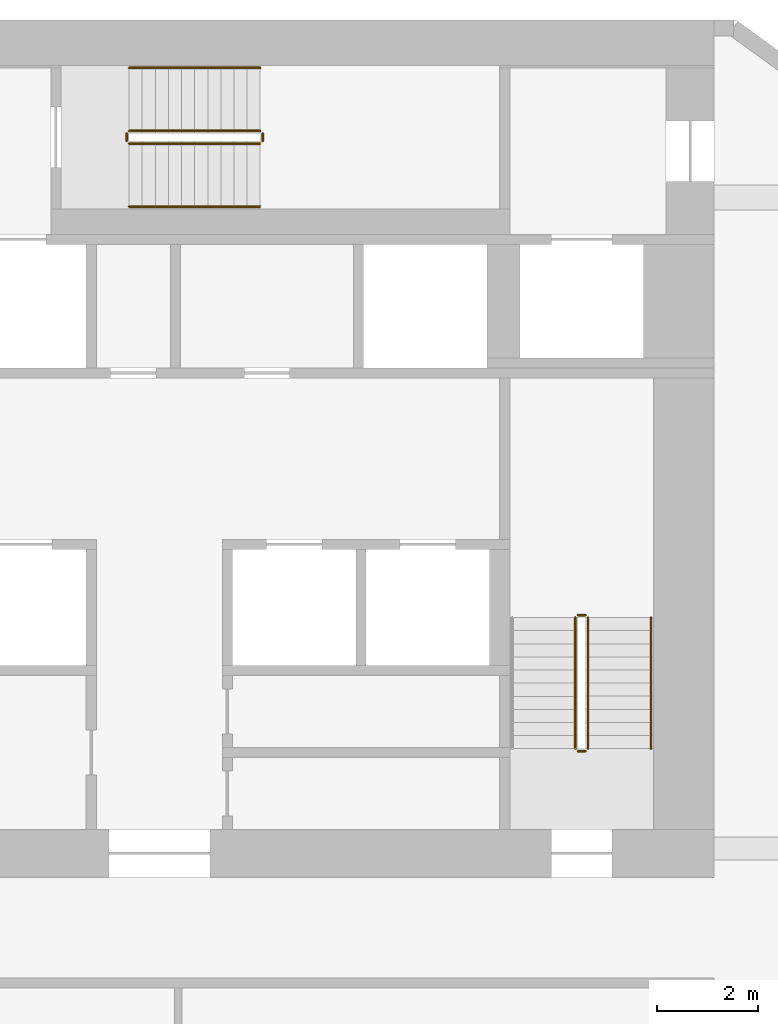
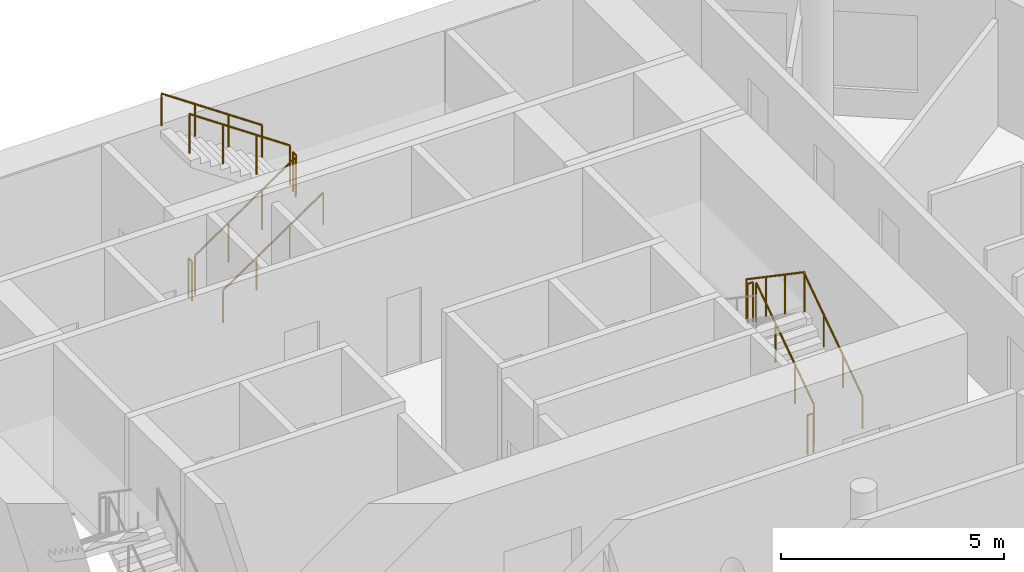
# One storey, part 9 of 9: 11 railings.
"""IFC4 building model written with IfcOpenShell, lengths in metres."""

from ifc_helpers import new_model, si_unit, direction, frame, origin, origin_2d, place, context, subcontext, project, spatial, circle, extrude, material, type_object, element, save


model = new_model("IFC4")

# Units and contexts
model_context = context("Model", 3, precision=1e-05, world=origin(), true_north=direction((0.0, 1.0)))
body_context = subcontext(model_context, "Body", "Model", "MODEL_VIEW")
ifc_project = project(units=[si_unit("LENGTHUNIT", "METRE"), si_unit("AREAUNIT", "SQUARE_METRE"), si_unit("VOLUMEUNIT", "CUBIC_METRE"), si_unit("PLANEANGLEUNIT", "RADIAN"), si_unit("MASSUNIT", "GRAM", prefix="KILO")], contexts=[model_context])

# Site, building, storey
site_placement = place(None, origin())
site = spatial("IfcSite", under=ifc_project, at=site_placement, CompositionType="ELEMENT")
building_placement = place(site_placement, origin())
building = spatial("IfcBuilding", under=site, at=building_placement, Name="White Candle Pilgrim Tower", CompositionType="ELEMENT")
storey_placement = place(building_placement, frame((0.0, 0.0, 168.10009765625)))
storey = spatial("IfcBuildingStorey", under=building, at=storey_placement, Name="L38", CompositionType="ELEMENT", Elevation=168.10009765625)

# Railings
ifc_material = material(Name="Stainless steel", Category="steel")
railing_type_1 = type_object("IfcRailingType", Name="Stair guard stainless steel 1100 mm", PredefinedType="GUARDRAIL", material=ifc_material)
railing_1_placement = place(storey_placement, frame((78.5, 73.550048828125, 0.17724609375)))
element("IfcRailing", 1, at=railing_1_placement, inside=storey, type_object=railing_type_1, Name="L38 ST2 stair guard 1", PredefinedType="GUARDRAIL", context=body_context, shape_type="SweptSolid", body=[
    extrude(circle(Radius=0.02392578125, at=origin_2d()), frame((0.0, 0.0, 1.076171875), z_axis=(0.0, 0.826215852431, 0.563353676824), x_axis=(-1.0, 0.0, 0.0)), (0.0, 0.0, 1.0), 3.146728515625),
    extrude(circle(Radius=0.02099609375, at=origin_2d()), origin(), (0.0, 0.0, 1.0), 1.052001953125),
    extrude(circle(Radius=0.02099609375, at=origin_2d()), frame((0.0, 0.86669921875, 0.5908203125)), (0.0, 0.0, 1.0), 1.052001953125),
    extrude(circle(Radius=0.02099609375, at=origin_2d()), frame((0.0, 1.733154296875, 1.181884765625)), (0.0, 0.0, 1.0), 1.052001953125),
    extrude(circle(Radius=0.02099609375, at=origin_2d()), frame((0.0, 2.599853515625, 1.772705078125)), (0.0, 0.0, 1.0), 1.052001953125),
])
railing_2_placement = place(storey_placement, frame((78.449951171875, 76.199951171875, 1.949951171875)))
element("IfcRailing", 2, at=railing_2_placement, inside=storey, type_object=railing_type_1, Name="L38 ST2 stair guard 2", PredefinedType="GUARDRAIL", context=body_context, shape_type="SweptSolid", body=[
    extrude(circle(Radius=0.02392578125, at=origin_2d()), frame((0.0, 0.0, 1.076171875), z_axis=(-1.0, 0.0, 0.0), x_axis=(0.0, -1.0, 0.0)), (0.0, 0.0, 1.0), 0.14990234375),
    extrude(circle(Radius=0.02099609375, at=origin_2d()), origin(), (0.0, 0.0, 1.0), 1.052001953125),
    extrude(circle(Radius=0.02099609375, at=origin_2d()), frame((-0.14990234375, 0.0, 0.0)), (0.0, 0.0, 1.0), 1.052001953125),
])
railing_3_placement = place(storey_placement, frame((78.25, 76.14990234375, 2.127197265625)))
element("IfcRailing", 3, at=railing_3_placement, inside=storey, type_object=railing_type_1, Name="L38 ST2 stair guard 3", PredefinedType="GUARDRAIL", context=body_context, shape_type="SweptSolid", body=[
    extrude(circle(Radius=0.02392578125, at=origin_2d()), frame((0.0, 0.0, 1.076171875), z_axis=(0.0, -0.826215852431, 0.563353676824), x_axis=(1.0, 0.0, 0.0)), (0.0, 0.0, 1.0), 3.146728515625),
    extrude(circle(Radius=0.02099609375, at=origin_2d()), origin(), (0.0, 0.0, 1.0), 1.052001953125),
    extrude(circle(Radius=0.02099609375, at=origin_2d()), frame((0.0, -0.86669921875, 0.5908203125)), (0.0, 0.0, 1.0), 1.052001953125),
    extrude(circle(Radius=0.02099609375, at=origin_2d()), frame((0.0, -1.733154296875, 1.181884765625)), (0.0, 0.0, 1.0), 1.052001953125),
    extrude(circle(Radius=0.02099609375, at=origin_2d()), frame((0.0, -2.599853515625, 1.772705078125)), (0.0, 0.0, 1.0), 1.052001953125),
])
railing_4_placement = place(storey_placement, frame((78.449951171875, 73.5, 0.0)))
element("IfcRailing", 4, at=railing_4_placement, inside=storey, type_object=railing_type_1, Name="L38 ST2 stair guard 4", PredefinedType="GUARDRAIL", context=body_context, shape_type="SweptSolid", body=[
    extrude(circle(Radius=0.02392578125, at=origin_2d()), frame((0.0, 0.0, 1.076171875), z_axis=(-1.0, 0.0, 0.0), x_axis=(0.0, -1.0, 0.0)), (0.0, 0.0, 1.0), 0.14990234375),
    extrude(circle(Radius=0.02099609375, at=origin_2d()), origin(), (0.0, 0.0, 1.0), 1.052001953125),
    extrude(circle(Radius=0.02099609375, at=origin_2d()), frame((-0.14990234375, 0.0, 0.0)), (0.0, 0.0, 1.0), 1.052001953125),
])
railing_5_placement = place(storey_placement, frame((69.39990234375, 85.550048828125, 0.17724609375)))
element("IfcRailing", 5, at=railing_5_placement, inside=storey, type_object=railing_type_1, Name="L38 ST3 stair guard 1", PredefinedType="GUARDRAIL", context=body_context, shape_type="SweptSolid", body=[
    extrude(circle(Radius=0.02392578125, at=origin_2d()), frame((0.0, 0.0, 1.076171875), z_axis=(0.826240473404, 0.0, 0.563317565952), x_axis=(0.0, 1.0, 0.0)), (0.0, 0.0, 1.0), 3.14697265625),
    extrude(circle(Radius=0.02099609375, at=origin_2d()), origin(), (0.0, 0.0, 1.0), 1.052001953125),
    extrude(circle(Radius=0.02099609375, at=origin_2d()), frame((0.86669921875, 0.0, 0.5908203125)), (0.0, 0.0, 1.0), 1.052001953125),
    extrude(circle(Radius=0.02099609375, at=origin_2d()), frame((1.7333984375, 0.0, 1.181884765625)), (0.0, 0.0, 1.0), 1.052001953125),
    extrude(circle(Radius=0.02099609375, at=origin_2d()), frame((2.60009765625, 0.0, 1.772705078125)), (0.0, 0.0, 1.0), 1.052001953125),
])
railing_6_placement = place(storey_placement, frame((72.050048828125, 85.60009765625, 1.949951171875)))
element("IfcRailing", 6, at=railing_6_placement, inside=storey, type_object=railing_type_1, Name="L38 ST3 stair guard 2", PredefinedType="GUARDRAIL", context=body_context, shape_type="SweptSolid", body=[
    extrude(circle(Radius=0.02392578125, at=origin_2d()), frame((0.0, 0.0, 1.076171875), z_axis=(0.0, 1.0, 0.0), x_axis=(-1.0, 0.0, 0.0)), (0.0, 0.0, 1.0), 0.14990234375),
    extrude(circle(Radius=0.02099609375, at=origin_2d()), origin(), (0.0, 0.0, 1.0), 1.052001953125),
    extrude(circle(Radius=0.02099609375, at=origin_2d()), frame((0.0, 0.14990234375, 0.0)), (0.0, 0.0, 1.0), 1.052001953125),
])
railing_7_placement = place(storey_placement, frame((72.0, 85.800048828125, 2.127197265625)))
element("IfcRailing", 7, at=railing_7_placement, inside=storey, type_object=railing_type_1, Name="L38 ST3 stair guard 3", PredefinedType="GUARDRAIL", context=body_context, shape_type="SweptSolid", body=[
    extrude(circle(Radius=0.02392578125, at=origin_2d()), frame((0.0, 0.0, 1.076171875), z_axis=(-0.826240473404, 0.0, 0.563317565952), x_axis=(0.0, -1.0, 0.0)), (0.0, 0.0, 1.0), 3.14697265625),
    extrude(circle(Radius=0.02099609375, at=origin_2d()), origin(), (0.0, 0.0, 1.0), 1.052001953125),
    extrude(circle(Radius=0.02099609375, at=origin_2d()), frame((-0.86669921875, 0.0, 0.5908203125)), (0.0, 0.0, 1.0), 1.052001953125),
    extrude(circle(Radius=0.02099609375, at=origin_2d()), frame((-1.7333984375, 0.0, 1.181884765625)), (0.0, 0.0, 1.0), 1.052001953125),
    extrude(circle(Radius=0.02099609375, at=origin_2d()), frame((-2.60009765625, 0.0, 1.772705078125)), (0.0, 0.0, 1.0), 1.052001953125),
])
railing_8_placement = place(storey_placement, frame((69.35009765625, 85.60009765625, 0.0)))
element("IfcRailing", 8, at=railing_8_placement, inside=storey, type_object=railing_type_1, Name="L38 ST3 stair guard 4", PredefinedType="GUARDRAIL", context=body_context, shape_type="SweptSolid", body=[
    extrude(circle(Radius=0.02392578125, at=origin_2d()), frame((0.0, 0.0, 1.076171875), z_axis=(0.0, 1.0, 0.0), x_axis=(-1.0, 0.0, 0.0)), (0.0, 0.0, 1.0), 0.14990234375),
    extrude(circle(Radius=0.02099609375, at=origin_2d()), origin(), (0.0, 0.0, 1.0), 1.052001953125),
    extrude(circle(Radius=0.02099609375, at=origin_2d()), frame((0.0, 0.14990234375, 0.0)), (0.0, 0.0, 1.0), 1.052001953125),
])
railing_type_2 = type_object("IfcRailingType", Name="Stair handrail stainless steel", PredefinedType="HANDRAIL", material=ifc_material)
railing_9_placement = place(storey_placement, frame((79.75, 73.550048828125, 0.17724609375)))
element("IfcRailing", 9, at=railing_9_placement, inside=storey, type_object=railing_type_2, Name="L38 ST2 stair handrail 1", PredefinedType="HANDRAIL", context=body_context, shape_type="SweptSolid", body=[
    extrude(circle(Radius=0.02392578125, at=origin_2d()), frame((0.0, 0.0, 0.8759765625), z_axis=(0.0, 0.826215852431, 0.563353676824), x_axis=(-1.0, 0.0, 0.0)), (0.0, 0.0, 1.0), 3.146728515625),
    extrude(circle(Radius=0.02099609375, at=origin_2d()), origin(), (0.0, 0.0, 1.0), 0.851806640625),
    extrude(circle(Radius=0.02099609375, at=origin_2d()), frame((0.0, 0.86669921875, 0.5908203125)), (0.0, 0.0, 1.0), 0.851806640625),
    extrude(circle(Radius=0.02099609375, at=origin_2d()), frame((0.0, 1.733154296875, 1.181884765625)), (0.0, 0.0, 1.0), 0.851806640625),
    extrude(circle(Radius=0.02099609375, at=origin_2d()), frame((0.0, 2.599853515625, 1.772705078125)), (0.0, 0.0, 1.0), 0.851806640625),
])
railing_10_placement = place(storey_placement, frame((69.39990234375, 84.300048828125, 0.17724609375)))
element("IfcRailing", 10, at=railing_10_placement, inside=storey, type_object=railing_type_2, Name="L38 ST3 stair handrail 1", PredefinedType="HANDRAIL", context=body_context, shape_type="SweptSolid", body=[
    extrude(circle(Radius=0.02392578125, at=origin_2d()), frame((0.0, 0.0, 0.8759765625), z_axis=(0.826240473404, 0.0, 0.563317565952), x_axis=(0.0, 1.0, 0.0)), (0.0, 0.0, 1.0), 3.14697265625),
    extrude(circle(Radius=0.02099609375, at=origin_2d()), origin(), (0.0, 0.0, 1.0), 0.851806640625),
    extrude(circle(Radius=0.02099609375, at=origin_2d()), frame((0.86669921875, 0.0, 0.5908203125)), (0.0, 0.0, 1.0), 0.851806640625),
    extrude(circle(Radius=0.02099609375, at=origin_2d()), frame((1.7333984375, 0.0, 1.181884765625)), (0.0, 0.0, 1.0), 0.851806640625),
    extrude(circle(Radius=0.02099609375, at=origin_2d()), frame((2.60009765625, 0.0, 1.772705078125)), (0.0, 0.0, 1.0), 0.851806640625),
])
railing_11_placement = place(storey_placement, frame((72.0, 87.050048828125, 2.127197265625)))
element("IfcRailing", 11, at=railing_11_placement, inside=storey, type_object=railing_type_2, Name="L38 ST3 stair handrail 2", PredefinedType="HANDRAIL", context=body_context, shape_type="SweptSolid", body=[
    extrude(circle(Radius=0.02392578125, at=origin_2d()), frame((0.0, 0.0, 0.8759765625), z_axis=(-0.826240473404, 0.0, 0.563317565952), x_axis=(0.0, -1.0, 0.0)), (0.0, 0.0, 1.0), 3.14697265625),
    extrude(circle(Radius=0.02099609375, at=origin_2d()), origin(), (0.0, 0.0, 1.0), 0.851806640625),
    extrude(circle(Radius=0.02099609375, at=origin_2d()), frame((-0.86669921875, 0.0, 0.5908203125)), (0.0, 0.0, 1.0), 0.851806640625),
    extrude(circle(Radius=0.02099609375, at=origin_2d()), frame((-1.7333984375, 0.0, 1.181884765625)), (0.0, 0.0, 1.0), 0.851806640625),
    extrude(circle(Radius=0.02099609375, at=origin_2d()), frame((-2.60009765625, 0.0, 1.772705078125)), (0.0, 0.0, 1.0), 0.851806640625),
])

save(model, "model.ifc")
